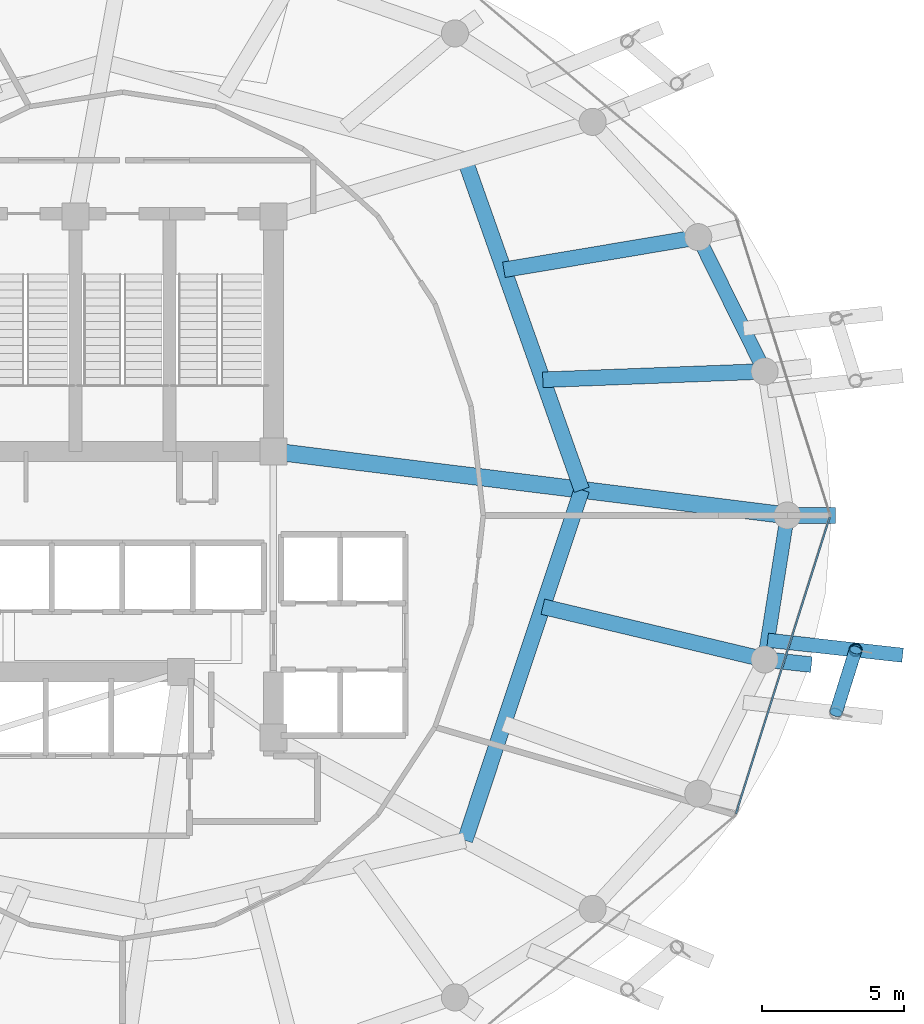
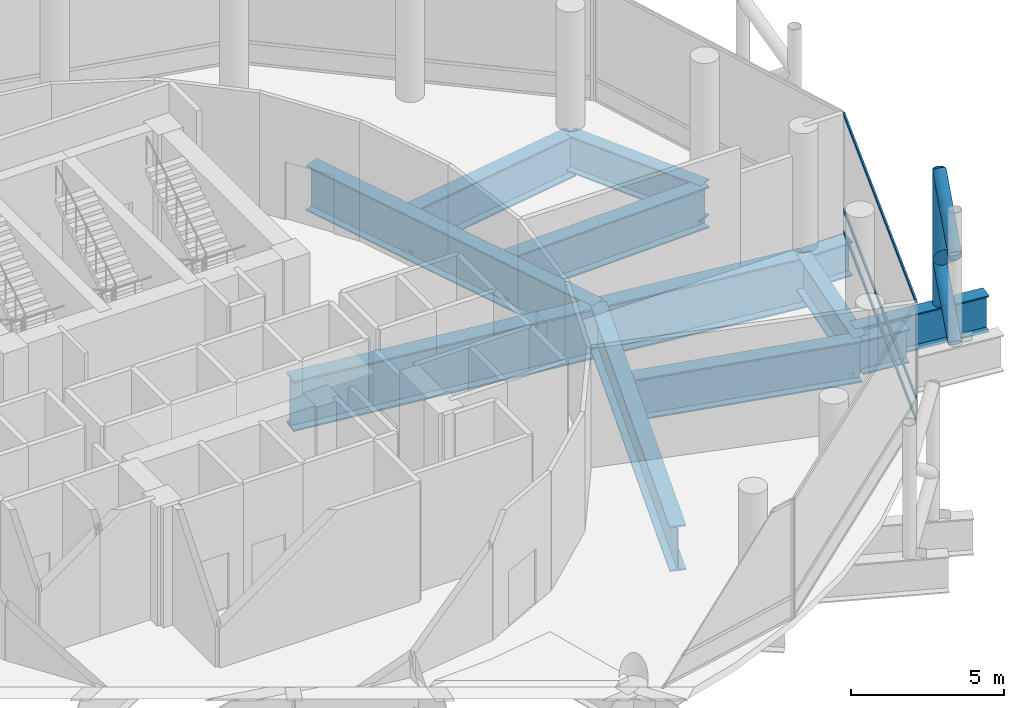
# One storey, part 11 of 29: 11 beams, 7 members, 1 element without a shape of its own.
"""IFC4 building model written with IfcOpenShell, lengths in metres."""

from ifc_helpers import new_model, si_unit, direction, frame, origin, origin_2d, place, context, subcontext, project, spatial, hollow_rectangle, hollow_circle, i_section, extrude, material, layer, layer_set, material_profile, profile_set, type_object, element, aggregate, save


model = new_model("IFC4")

# Units and contexts
model_context = context("Model", 3, precision=1e-05, world=origin(), true_north=direction((0.0, 1.0)))
body_context = subcontext(model_context, "Body", "Model", "MODEL_VIEW")
ifc_project = project(units=[si_unit("LENGTHUNIT", "METRE"), si_unit("AREAUNIT", "SQUARE_METRE"), si_unit("VOLUMEUNIT", "CUBIC_METRE"), si_unit("PLANEANGLEUNIT", "RADIAN"), si_unit("MASSUNIT", "GRAM", prefix="KILO")], contexts=[model_context])

# Site, building, storey
site_placement = place(None, origin())
site = spatial("IfcSite", under=ifc_project, at=site_placement, CompositionType="ELEMENT")
building_placement = place(site_placement, origin())
building = spatial("IfcBuilding", under=site, at=building_placement, Name="Nuhasar Tower", CompositionType="ELEMENT")
storey_placement = place(building_placement, frame((0.0, 0.0, 113.25)))
storey = spatial("IfcBuildingStorey", under=building, at=storey_placement, Name="L26", CompositionType="ELEMENT", Elevation=113.25)

# Beams
ifc_material_1 = material(Name="Steel S460", Category="steel")
ifc_material_profile_1 = material_profile(ifc_material_1, i_section(OverallWidth=0.550048828125, OverallDepth=1.35009765625, WebThickness=0.028076171875, FlangeThickness=0.050048828125, at=origin_2d()), Name="PG1350X550")
ifc_profile_set_1 = profile_set([ifc_material_profile_1], Name="Steel S460")
beam_type_1 = type_object("IfcBeamType", Name="BM-XFER-PG1350", PredefinedType="USERDEFINED", material=ifc_profile_set_1)
beam_1_placement = place(storey_placement, frame((62.35009765625, 26.800048828125, -0.9951171875), z_axis=(1.0, 0.0, 0.0), x_axis=(0.0, 1.0, 0.0)))
element("IfcBeam", 1, at=beam_1_placement, inside=storey, type_object=beam_type_1, Name="L26 Radial Step Transfer Girder 04", ObjectType="GIRDER", PredefinedType="USERDEFINED", context=body_context, shape_type="SweptSolid", body=[
    extrude(i_section(OverallWidth=0.550048828125, OverallDepth=1.35009765625, WebThickness=0.028076171875, FlangeThickness=0.050048828125, at=origin_2d()), origin(), (0.0, 0.0, 1.0), 1.699951171875),
])
beam_2_placement = place(storey_placement, frame((61.553955078125, 21.739990234375, -0.9951171875), z_axis=(0.99398603161, -0.109506935686, 0.0), x_axis=(0.109506935686, 0.99398603161, 0.0)))
element("IfcBeam", 2, at=beam_2_placement, inside=storey, type_object=beam_type_1, Name="L26 Outer Column Step Transfer Girder 24", ObjectType="GIRDER", PredefinedType="USERDEFINED", context=body_context, shape_type="SweptSolid", body=[
    extrude(i_section(OverallWidth=0.550048828125, OverallDepth=1.35009765625, WebThickness=0.028076171875, FlangeThickness=0.050048828125, at=origin_2d()), origin(), (0.0, 0.0, 1.0), 1.652099609375),
])
ifc_material_profile_2 = material_profile(ifc_material_1, i_section(OverallWidth=0.5, OverallDepth=1.449951171875, WebThickness=0.028076171875, FlangeThickness=0.050048828125, at=origin_2d()), Name="PG1450X500")
ifc_profile_set_2 = profile_set([ifc_material_profile_2], Name="Steel S460")
beam_type_2 = type_object("IfcBeamType", Name="BM-XFER-PG1450", PredefinedType="USERDEFINED", material=ifc_profile_set_2)
beam_3_placement = place(storey_placement, frame((61.553955078125, 31.860107421875, -1.044921875), z_axis=(-0.443347771709, 0.896349682501, 0.0), x_axis=(-0.896349682501, -0.443347771709, 0.0)))
element("IfcBeam", 3, at=beam_3_placement, inside=storey, type_object=beam_type_2, Name="L26 Perimeter Ring Spandrel 02", ObjectType="GIRDER", PredefinedType="USERDEFINED", context=body_context, shape_type="SweptSolid", body=[
    extrude(i_section(OverallWidth=0.5, OverallDepth=1.449951171875, WebThickness=0.028076171875, FlangeThickness=0.050048828125, at=origin_2d()), origin(), (0.0, 0.0, 1.0), 5.260009765625),
])
beam_4_placement = place(storey_placement, frame((61.553955078125, 21.739990234375, -1.044921875), z_axis=(0.155426543608, 0.987847452566, 0.0), x_axis=(-0.987847452566, 0.155426543608, 0.0)))
element("IfcBeam", 4, at=beam_4_placement, inside=storey, type_object=beam_type_2, Name="L26 Perimeter Ring Spandrel 24", ObjectType="GIRDER", PredefinedType="USERDEFINED", context=body_context, shape_type="SweptSolid", body=[
    extrude(i_section(OverallWidth=0.5, OverallDepth=1.449951171875, WebThickness=0.028076171875, FlangeThickness=0.050048828125, at=origin_2d()), origin(), (0.0, 0.0, 1.0), 5.122314453125),
])
beam_5_placement = place(storey_placement, frame((61.660888671875, 22.41796875, -1.044921875), z_axis=(0.993848718805, -0.11074621497, 0.0), x_axis=(0.11074621497, 0.993848718805, 0.0)))
element("IfcBeam", 5, at=beam_5_placement, inside=storey, type_object=beam_type_2, Name="L26 Exoskeleton Step Transfer Girder 24", ObjectType="GIRDER", PredefinedType="USERDEFINED", context=body_context, shape_type="SweptSolid", body=[
    extrude(i_section(OverallWidth=0.5, OverallDepth=1.449951171875, WebThickness=0.028076171875, FlangeThickness=0.050048828125, at=origin_2d()), origin(), (0.0, 0.0, 1.0), 4.768310546875),
])
ifc_material_profile_3 = material_profile(ifc_material_1, i_section(OverallWidth=0.550048828125, OverallDepth=1.64990234375, WebThickness=0.031982421875, FlangeThickness=0.054931640625, at=origin_2d()), Name="PG1650X550")
ifc_profile_set_3 = profile_set([ifc_material_profile_3], Name="Steel S460")
beam_type_3 = type_object("IfcBeamType", Name="BM-XFER-PG1650", PredefinedType="USERDEFINED", material=ifc_profile_set_3)
beam_6_placement = place(storey_placement, frame((53.761962890625, 23.594970703125, -1.14501953125), z_axis=(0.972813409167, -0.231590308399, 0.0), x_axis=(0.231590308399, 0.972813409167, 0.0)))
element("IfcBeam", 6, at=beam_6_placement, inside=storey, type_object=beam_type_3, Name="L26 Inner Column Transfer Girder 24", ObjectType="GIRDER", PredefinedType="USERDEFINED", context=body_context, shape_type="SweptSolid", body=[
    extrude(i_section(OverallWidth=0.550048828125, OverallDepth=1.64990234375, WebThickness=0.031982421875, FlangeThickness=0.054931640625, at=origin_2d()), origin(), (0.0, 0.0, 1.0), 8.009765625),
])
beam_7_placement = place(storey_placement, frame((53.761962890625, 31.56494140625, -1.14501953125), z_axis=(0.999283298013, 0.037853537639, 0.0), x_axis=(-0.037853537639, 0.999283298013, 0.0)))
element("IfcBeam", 7, at=beam_7_placement, inside=storey, type_object=beam_type_3, Name="L26 Inner Column Transfer Girder 02", ObjectType="GIRDER", PredefinedType="USERDEFINED", context=body_context, shape_type="SweptSolid", body=[
    extrude(i_section(OverallWidth=0.550048828125, OverallDepth=1.64990234375, WebThickness=0.031982421875, FlangeThickness=0.054931640625, at=origin_2d()), origin(), (0.0, 0.0, 1.0), 7.797607421875),
])
beam_8_placement = place(storey_placement, frame((52.39501953125, 35.428955078125, -1.14501953125), z_axis=(0.986201662458, 0.165548424832, 0.0), x_axis=(-0.165548424832, 0.986201662458, 0.0)))
element("IfcBeam", 8, at=beam_8_placement, inside=storey, type_object=beam_type_3, Name="L26 Inner Column Transfer Girder 03", ObjectType="GIRDER", PredefinedType="USERDEFINED", context=body_context, shape_type="SweptSolid", body=[
    extrude(i_section(OverallWidth=0.550048828125, OverallDepth=1.64990234375, WebThickness=0.031982421875, FlangeThickness=0.054931640625, at=origin_2d()), origin(), (0.0, 0.0, 1.0), 6.92236328125),
])
ifc_material_profile_4 = material_profile(ifc_material_1, i_section(OverallWidth=0.550048828125, OverallDepth=1.800048828125, WebThickness=0.031982421875, FlangeThickness=0.054931640625, at=origin_2d()), Name="PG1800X550")
ifc_profile_set_4 = profile_set([ifc_material_profile_4], Name="Steel S460")
beam_type_4 = type_object("IfcBeamType", Name="BM-XFER-PG1800", PredefinedType="USERDEFINED", material=ifc_profile_set_4)
beam_9_placement = place(storey_placement, frame((51.027099609375, 15.385986328125, -1.219970703125), z_axis=(0.31609797573, 0.948726551615, 0.0), x_axis=(-0.948726551615, 0.31609797573, 0.0)))
element("IfcBeam", 9, at=beam_9_placement, inside=storey, type_object=beam_type_4, Name="L26 Inner Header Beam 03", ObjectType="GIRDER", PredefinedType="USERDEFINED", context=body_context, shape_type="SweptSolid", body=[
    extrude(i_section(OverallWidth=0.550048828125, OverallDepth=1.800048828125, WebThickness=0.031982421875, FlangeThickness=0.054931640625, at=origin_2d()), origin(), (0.0, 0.0, 1.0), 12.9794921875),
])
beam_10_placement = place(storey_placement, frame((55.1298828125, 27.699951171875, -1.219970703125), z_axis=(-0.333599821096, 0.942714781556, 0.0), x_axis=(-0.942714781556, -0.333599821096, 0.0)))
element("IfcBeam", 10, at=beam_10_placement, inside=storey, type_object=beam_type_4, Name="L26 Inner Header Beam 04", ObjectType="GIRDER", PredefinedType="USERDEFINED", context=body_context, shape_type="SweptSolid", body=[
    extrude(i_section(OverallWidth=0.550048828125, OverallDepth=1.800048828125, WebThickness=0.031982421875, FlangeThickness=0.054931640625, at=origin_2d()), origin(), (0.0, 0.0, 1.0), 12.298583984375),
])
ifc_material_profile_5 = material_profile(ifc_material_1, i_section(OverallWidth=0.60009765625, OverallDepth=2.0, WebThickness=0.035888671875, FlangeThickness=0.06005859375, at=origin_2d()), Name="PG2000X600")
ifc_profile_set_5 = profile_set([ifc_material_profile_5], Name="Steel S460")
beam_type_5 = type_object("IfcBeamType", Name="BM-XFER-PG2000", PredefinedType="USERDEFINED", material=ifc_profile_set_5)
beam_11_placement = place(storey_placement, frame((44.300048828125, 29.050048828125, -1.320068359375), z_axis=(0.992320149485, -0.123696082908, 0.0), x_axis=(0.123696082908, 0.992320149485, 0.0)))
element("IfcBeam", 11, at=beam_11_placement, inside=storey, type_object=beam_type_5, Name="L26 Radial Floor Girder 04", ObjectType="GIRDER", PredefinedType="USERDEFINED", context=body_context, shape_type="SweptSolid", body=[
    extrude(i_section(OverallWidth=0.60009765625, OverallDepth=2.0, WebThickness=0.035888671875, FlangeThickness=0.06005859375, at=origin_2d()), origin(), (0.0, 0.0, 1.0), 18.189697265625),
])

# Curtain wall, members
ifc_material_2 = material(Name="Aluminium 6063-T6", Category="aluminium")
ifc_layer = layer(ifc_material_2, 0.239990234375)
ifc_layer_set = layer_set([ifc_layer], Name="Aluminium 6063-T6")
curtain_wall_type = type_object("IfcCurtainWallType", Name="CW-SKY-LBY", PredefinedType="NOTDEFINED", material=ifc_layer_set)
curtain_wall_placement = place(storey_placement, origin())
curtain_wall = element("IfcCurtainWall", 12, at=curtain_wall_placement, inside=storey, type_object=curtain_wall_type, Name="L26 Unitised Curtain Wall 12", PredefinedType="NOTDEFINED")
ifc_material_profile_6 = material_profile(ifc_material_2, hollow_rectangle(XDim=0.06005859375, YDim=0.1298828125, WallThickness=0.00439453125, at=origin_2d()), Name="CWT-6")
ifc_profile_set_6 = profile_set([ifc_material_profile_6], Name="Aluminium 6063-T6")
member_type_1 = type_object("IfcMemberType", Name="CW-TRN-S6", PredefinedType="USERDEFINED", material=ifc_profile_set_6)
member_1_placement = place(storey_placement, frame((60.547119140625, 16.3271484375, 0.030029296875), z_axis=(0.301594460874, 0.95343630158, 0.0), x_axis=(-0.95343630158, 0.301594460874, 0.0)))
member_1 = element("IfcMember", 13, at=member_1_placement, type_object=member_type_1, Name="CW-SL transom 1.1", ObjectType="TRANSOM", PredefinedType="USERDEFINED", context=body_context, shape_type="SweptSolid", body=[
    extrude(hollow_rectangle(XDim=0.06005859375, YDim=0.1298828125, WallThickness=0.00439453125, at=origin_2d()), origin(), (0.0, 0.0, 1.0), 10.92431640625),
])
member_2_placement = place(storey_placement, frame((60.547119140625, 16.3271484375, 0.89990234375), z_axis=(0.301594460874, 0.95343630158, 0.0), x_axis=(-0.95343630158, 0.301594460874, 0.0)))
member_2 = element("IfcMember", 14, at=member_2_placement, type_object=member_type_1, Name="CW-SL transom 1.2", ObjectType="TRANSOM", PredefinedType="USERDEFINED", context=body_context, shape_type="SweptSolid", body=[
    extrude(hollow_rectangle(XDim=0.06005859375, YDim=0.1298828125, WallThickness=0.00439453125, at=origin_2d()), origin(), (0.0, 0.0, 1.0), 10.92431640625),
])
member_3_placement = place(storey_placement, frame((60.547119140625, 16.3271484375, 4.719970703125), z_axis=(0.301594460874, 0.95343630158, 0.0), x_axis=(-0.95343630158, 0.301594460874, 0.0)))
member_3 = element("IfcMember", 15, at=member_3_placement, type_object=member_type_1, Name="CW-SL transom 1.3", ObjectType="TRANSOM", PredefinedType="USERDEFINED", context=body_context, shape_type="SweptSolid", body=[
    extrude(hollow_rectangle(XDim=0.06005859375, YDim=0.1298828125, WallThickness=0.00439453125, at=origin_2d()), origin(), (0.0, 0.0, 1.0), 10.92431640625),
])
aggregate(curtain_wall, [member_1, member_2, member_3])

# Members
ifc_material_profile_7 = material_profile(ifc_material_1, hollow_circle(Radius=0.228515625, WallThickness=0.022216796875, at=origin_2d()), Name="HSS457X22.2")
ifc_profile_set_7 = profile_set([ifc_material_profile_7], Name="Steel S460")
member_type_2 = type_object("IfcMemberType", Name="EXO-BRONZE-457", PredefinedType="BRACE", material=ifc_profile_set_7)
member_4_placement = place(storey_placement, frame((64.748046875, 22.073974609375, -0.320068359375), z_axis=(0.0, 0.0, 1.0), x_axis=(1.0, 0.0, 0.0)))
element("IfcMember", 16, at=member_4_placement, inside=storey, type_object=member_type_2, Name="L26 Exoskeleton Chord Column EC-12B", PredefinedType="BRACE", context=body_context, shape_type="SweptSolid", body=[
    extrude(hollow_circle(Radius=0.228515625, WallThickness=0.022216796875, at=origin_2d()), origin(), (0.0, 0.0, 1.0), 5.320068359375),
])
member_5_placement = place(storey_placement, frame((64.06005859375, 19.87890625, -0.320068359375), z_axis=(0.236885483771, 0.755797510497, 0.610455068539), x_axis=(-0.954228474306, 0.29907861646, 0.0)))
element("IfcMember", 17, at=member_5_placement, inside=storey, type_object=member_type_2, Name="L26 Bronze Diagrid Brace W1-12", PredefinedType="BRACE", context=body_context, shape_type="SweptSolid", body=[
    extrude(hollow_circle(Radius=0.228515625, WallThickness=0.022216796875, at=origin_2d()), origin(), (0.0, 0.0, 1.0), 2.904296875),
])
member_6_placement = place(storey_placement, frame((64.748046875, 22.073974609375, 1.452880859375), z_axis=(-0.236824706396, -0.755603596596, 0.610718644919), x_axis=(0.954228474306, -0.29907861646, 0.0)))
element("IfcMember", 18, at=member_6_placement, inside=storey, type_object=member_type_2, Name="L26 Bronze Diagrid Brace W2-12", PredefinedType="BRACE", context=body_context, shape_type="SweptSolid", body=[
    extrude(hollow_circle(Radius=0.228515625, WallThickness=0.022216796875, at=origin_2d()), origin(), (0.0, 0.0, 1.0), 2.905029296875),
])
member_7_placement = place(storey_placement, frame((64.06005859375, 19.87890625, 3.22705078125), z_axis=(0.236885483771, 0.755797510497, 0.610455068539), x_axis=(-0.954228474306, 0.29907861646, 0.0)))
element("IfcMember", 19, at=member_7_placement, inside=storey, type_object=member_type_2, Name="L26 Bronze Diagrid Brace W3-12", PredefinedType="BRACE", context=body_context, shape_type="SweptSolid", body=[
    extrude(hollow_circle(Radius=0.228515625, WallThickness=0.022216796875, at=origin_2d()), origin(), (0.0, 0.0, 1.0), 2.904296875),
])

save(model, "model.ifc")
